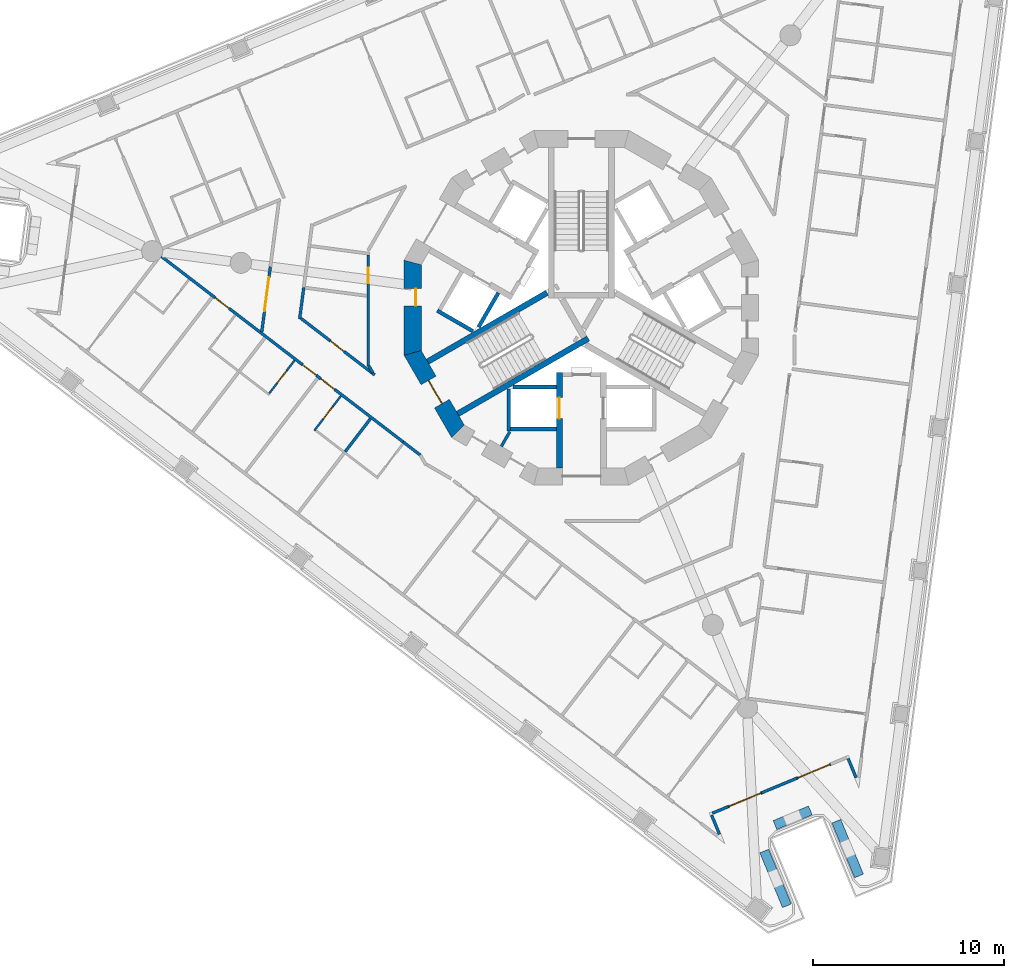
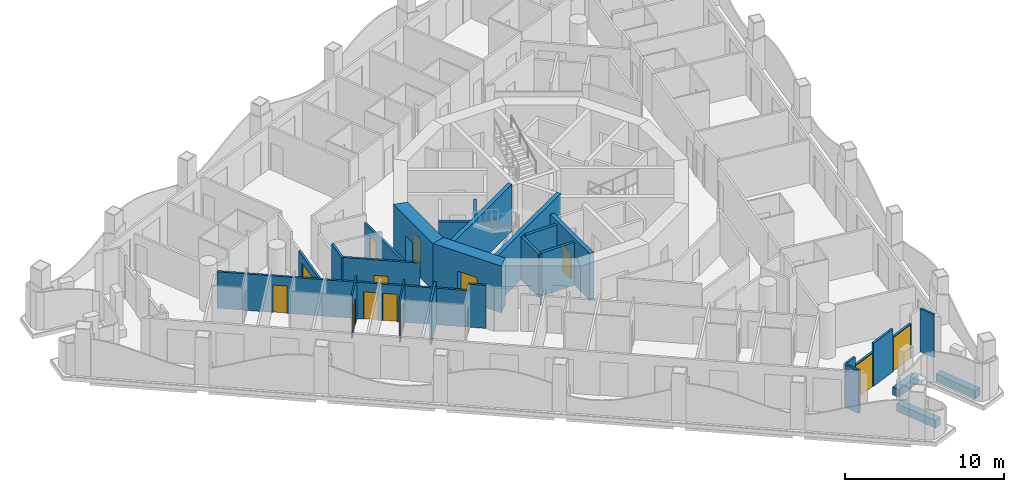
# One storey, part 3 of 17: 30 walls, 13 doors, 13 openings.
"""IFC4 building model written with IfcOpenShell, lengths in metres."""

from ifc_helpers import new_model, si_unit, direction, frame, frame_2d, origin, place, context, subcontext, project, spatial, polyline, rectangle, outline, extrude, material, layer, layer_set, type_object, element, fill, save


model = new_model("IFC4")

# Units and contexts
model_context = context("Model", 3, precision=1e-05, world=origin(), true_north=direction((0.0, 1.0)))
body_context = subcontext(model_context, "Body", "Model", "MODEL_VIEW")
ifc_project = project(units=[si_unit("LENGTHUNIT", "METRE"), si_unit("AREAUNIT", "SQUARE_METRE"), si_unit("VOLUMEUNIT", "CUBIC_METRE"), si_unit("PLANEANGLEUNIT", "RADIAN"), si_unit("MASSUNIT", "GRAM", prefix="KILO")], contexts=[model_context])

# Site, building, storey
site_placement = place(None, origin())
site = spatial("IfcSite", under=ifc_project, at=site_placement, CompositionType="ELEMENT")
building_placement = place(site_placement, origin())
building = spatial("IfcBuilding", under=site, at=building_placement, Name="Trine Commons Tower", CompositionType="ELEMENT")
storey_placement = place(building_placement, frame((0.0, 0.0, 138.60009765625)))
storey = spatial("IfcBuildingStorey", under=building, at=storey_placement, Name="L35", CompositionType="ELEMENT", Elevation=138.60009765625)

# Walls
ifc_material_1 = material(Name="Plasterboard partition on steel studs", Category="steel")
ifc_layer_1 = layer(ifc_material_1, 0.14990234375)
ifc_layer_set_1 = layer_set([ifc_layer_1], Name="Plasterboard partition on steel studs")
wall_type_1 = type_object("IfcWallType", Name="Core room partition 150 mm, EI 60", PredefinedType="PARTITIONING", material=ifc_layer_set_1)
wall_1_placement = place(storey_placement, frame((75.81396484375, 55.2490234375, 0.0), z_axis=(0.0, 0.0, 1.0), x_axis=(0.499890179513, 0.866088799389, 0.0)))
element("IfcWall", 1, at=wall_1_placement, inside=storey, type_object=wall_type_1, Name="Core room partition L35", PredefinedType="PARTITIONING", context=body_context, shape_type="SweptSolid", body=[
    extrude(rectangle(XDim=0.882080078125, YDim=0.14990234375, at=frame_2d((0.44091796875, 0.0))), origin(), (0.0, 0.0, 1.0), 3.2998046875),
])
ifc_material_2 = material(Name="Aluminium-framed insulated wall panel", Category="aluminium")
ifc_layer_2 = layer(ifc_material_2, 0.14990234375)
ifc_layer_set_2 = layer_set([ifc_layer_2], Name="Aluminium-framed insulated wall panel")
wall_type_2 = type_object("IfcWallType", Name="Glazed frame wall 150, EI 60", PredefinedType="SOLIDWALL", material=ifc_layer_set_2)
wall_2_placement = place(storey_placement, frame((94.42041015625, 37.78564453125, 0.0), z_axis=(0.0, 0.0, 1.0), x_axis=(-0.382629665579, 0.923901801611, 0.0)))
element("IfcWall", 2, at=wall_2_placement, inside=storey, type_object=wall_type_2, Name="Glazed frame wall R9", PredefinedType="SOLIDWALL", context=body_context, shape_type="SweptSolid", body=[
    extrude(outline(polyline([(0.1494140625, 0.074951171875), (0.1494140625, -0.074951171875), (1.235107421875, -0.074951171875), (1.235107421875, 0.074951171875), (0.1494140625, 0.074951171875)])), origin(), (0.0, 0.0, 1.0), 3.2998046875),
])

# Wall, opening, door
wall_3_placement = place(storey_placement, frame((93.027587890625, 38.626708984375, 0.0), z_axis=(0.0, 0.0, 1.0), x_axis=(-0.923888414498, -0.382661988648, 0.0)))
wall_3 = element("IfcWall", 3, at=wall_3_placement, inside=storey, type_object=wall_type_2, Name="Glazed frame wall P3.2", PredefinedType="SOLIDWALL", context=body_context, shape_type="SweptSolid", body=[
    extrude(outline(polyline([(0.0, -0.074951171875), (1.89990234375, -0.074951171875), (1.89990234375, 0.074951171875), (0.0, 0.074951171875), (0.0, -0.074951171875)])), origin(), (0.0, 0.0, 1.0), 2.64990234375),
])
opening_1_placement = place(wall_3_placement, frame((0.050048828125, 0.0, 0.0)))
opening_1 = element("IfcOpeningElement", 4, at=opening_1_placement, cuts=wall_3, Name="Opening BD-4P3-01", PredefinedType="OPENING", context=body_context, shape_type="SweptSolid", body=[
    extrude(rectangle(XDim=1.800048828125, YDim=2.60009765625, at=frame_2d((0.89990234375, 1.300048828125))), frame((0.0, 0.0849609375, 0.0), z_axis=(0.0, -1.0, 0.0), x_axis=(1.0, 0.0, 0.0)), (0.0, 0.0, 1.0), 0.169921875),
])
ifc_material_3 = material(Name="Anodised aluminium frame with double glazing", Category="aluminium")
door_type_1 = type_object("IfcDoorType", Name="Sliding loggia door 1800x2600", OperationType="SLIDING_TO_LEFT", PredefinedType="DOOR", material=ifc_material_3)
door_1_placement = place(opening_1_placement, origin())
door_1 = element("IfcDoor", 5, at=door_1_placement, inside=storey, type_object=door_type_1, Name="Loggia door P3 1", OperationType="SLIDING_TO_LEFT", OverallHeight=2.60009765625, OverallWidth=1.800048828125, PredefinedType="DOOR", context=body_context, shape_type="SweptSolid", body=[
    extrude(rectangle(XDim=1.800048828125, YDim=2.60009765625, at=frame_2d((0.89990234375, 1.300048828125))), frame((0.0, 0.02490234375, 0.0), z_axis=(0.0, -1.0, 0.0), x_axis=(1.0, 0.0, 0.0)), (0.0, 0.0, 1.0), 0.050048828125),
])
fill(opening_1, door_1)

# Wall
wall_4_placement = place(storey_placement, frame((91.272216796875, 37.899658203125, 0.0), z_axis=(0.0, 0.0, 1.0), x_axis=(-0.923887406181, -0.382664423091, 0.0)))
element("IfcWall", 6, at=wall_4_placement, inside=storey, type_object=wall_type_2, Name="Glazed frame wall P3.3", PredefinedType="SOLIDWALL", context=body_context, shape_type="SweptSolid", body=[
    extrude(outline(polyline([(0.0, -0.074951171875), (2.0, -0.074951171875), (2.0, 0.074951171875), (0.0, 0.074951171875), (0.0, -0.074951171875)])), origin(), (0.0, 0.0, 1.0), 3.2998046875),
])

# Wall, opening, door
wall_5_placement = place(storey_placement, frame((89.42431640625, 37.13427734375, 0.0), z_axis=(0.0, 0.0, 1.0), x_axis=(-0.923869595408, -0.382707421773, 0.0)))
wall_5 = element("IfcWall", 7, at=wall_5_placement, inside=storey, type_object=wall_type_2, Name="Glazed frame wall P3.4", PredefinedType="SOLIDWALL", context=body_context, shape_type="SweptSolid", body=[
    extrude(outline(polyline([(0.0, -0.074951171875), (1.89990234375, -0.074951171875), (1.89990234375, 0.074951171875), (0.0, 0.074951171875), (0.0, -0.074951171875)])), origin(), (0.0, 0.0, 1.0), 2.64990234375),
])
opening_2_placement = place(wall_5_placement, frame((0.050048828125, 0.0, 0.0)))
opening_2 = element("IfcOpeningElement", 8, at=opening_2_placement, cuts=wall_5, Name="Opening BD-4P3-02", PredefinedType="OPENING", context=body_context, shape_type="SweptSolid", body=[
    extrude(rectangle(XDim=1.800048828125, YDim=2.60009765625, at=frame_2d((0.89990234375, 1.300048828125))), frame((0.0, 0.0849609375, 0.0), z_axis=(0.0, -1.0, 0.0), x_axis=(1.0, 0.0, 0.0)), (0.0, 0.0, 1.0), 0.169921875),
])
door_2_placement = place(opening_2_placement, origin())
door_2 = element("IfcDoor", 9, at=door_2_placement, inside=storey, type_object=door_type_1, Name="Loggia door P3 2", OperationType="SLIDING_TO_LEFT", OverallHeight=2.60009765625, OverallWidth=1.800048828125, PredefinedType="DOOR", context=body_context, shape_type="SweptSolid", body=[
    extrude(rectangle(XDim=1.800048828125, YDim=2.60009765625, at=frame_2d((0.89990234375, 1.300048828125))), frame((0.0, 0.02490234375, 0.0), z_axis=(0.0, -1.0, 0.0), x_axis=(1.0, 0.0, 0.0)), (0.0, 0.0, 1.0), 0.050048828125),
])
fill(opening_2, door_2)

# Walls
wall_6_placement = place(storey_placement, frame((87.669189453125, 36.4072265625, 0.0), z_axis=(0.0, 0.0, 1.0), x_axis=(-0.923862128325, -0.382725447084, 0.0)))
element("IfcWall", 10, at=wall_6_placement, inside=storey, type_object=wall_type_2, Name="Glazed frame wall P3.5", PredefinedType="SOLIDWALL", context=body_context, shape_type="SweptSolid", body=[
    extrude(outline(polyline([(0.889892578125, 0.074951171875), (0.0, 0.074951171875), (0.0, -0.074951171875), (0.889892578125, -0.074951171875), (0.889892578125, 0.074951171875)])), origin(), (0.0, 0.0, 1.0), 3.2998046875),
])
wall_7_placement = place(storey_placement, frame((86.76416015625, 36.0703125, 0.0), z_axis=(0.0, 0.0, 1.0), x_axis=(0.382629665579, -0.923901801611, 0.0)))
element("IfcWall", 11, at=wall_7_placement, inside=storey, type_object=wall_type_2, Name="Glazed frame wall R11", PredefinedType="SOLIDWALL", context=body_context, shape_type="SweptSolid", body=[
    extrude(outline(polyline([(0.110107421875, 0.074951171875), (0.110107421875, -0.074951171875), (1.19580078125, -0.074951171875), (1.19580078125, 0.074951171875), (0.110107421875, 0.074951171875)])), origin(), (0.0, 0.0, 1.0), 3.2998046875),
])
ifc_material_4 = material(Name="Planter trough, precast concrete C40/50", Category="concrete")
ifc_layer_3 = layer(ifc_material_4, 0.5)
ifc_layer_set_3 = layer_set([ifc_layer_3], Name="Planter trough, precast concrete C40/50")
wall_type_3 = type_object("IfcWallType", Name="Planter trough 500x600", PredefinedType="PARAPET", material=ifc_layer_set_3)
wall_8_placement = place(storey_placement, frame((94.515625, 32.78662109375, 0.0), z_axis=(0.0, 0.0, 1.0), x_axis=(-0.382674068277, 0.923883411188, 0.0)))
element("IfcWall", 12, at=wall_8_placement, inside=storey, type_object=wall_type_3, Name="Planter 7", PredefinedType="PARAPET", context=body_context, shape_type="SweptSolid", body=[
    extrude(rectangle(XDim=3.099853515625, YDim=0.5, at=frame_2d((1.5498046875, 0.0))), origin(), (0.0, 0.0, 1.0), 0.599853515625),
])
wall_9_placement = place(storey_placement, frame((91.970703125, 36.21337890625, 0.0), z_axis=(0.0, 0.0, 1.0), x_axis=(-0.923930555985, -0.382560227567, 0.0)))
element("IfcWall", 13, at=wall_9_placement, inside=storey, type_object=wall_type_3, Name="Planter 8", PredefinedType="PARAPET", context=body_context, shape_type="SweptSolid", body=[
    extrude(rectangle(XDim=2.0, YDim=0.5, at=frame_2d((1.0, 0.0))), origin(), (0.0, 0.0, 1.0), 0.599853515625),
])
wall_10_placement = place(storey_placement, frame((89.56005859375, 34.08935546875, 0.0), z_axis=(0.0, 0.0, 1.0), x_axis=(0.382674068277, -0.923883411188, 0.0)))
element("IfcWall", 14, at=wall_10_placement, inside=storey, type_object=wall_type_3, Name="Planter 9", PredefinedType="PARAPET", context=body_context, shape_type="SweptSolid", body=[
    extrude(rectangle(XDim=3.099853515625, YDim=0.5, at=frame_2d((1.5498046875, 0.0))), origin(), (0.0, 0.0, 1.0), 0.599853515625),
])

# Wall, opening, door
ifc_material_5 = material(Name="Concrete C70/85", Category="concrete")
ifc_layer_4 = layer(ifc_material_5, 0.300048828125)
ifc_layer_set_4 = layer_set([ifc_layer_4], Name="Concrete C70/85")
wall_type_4 = type_object("IfcWallType", Name="RC shear wall 300 mm, C70/85", PredefinedType="SHEAR", material=ifc_layer_set_4)
wall_11_placement = place(storey_placement, frame((78.85009765625, 59.10009765625, 0.0), z_axis=(0.0, 0.0, 1.0), x_axis=(0.0, -1.0, 0.0)))
wall_11 = element("IfcWall", 15, at=wall_11_placement, inside=storey, type_object=wall_type_4, Name="Core cross wall SWB-03 L35", PredefinedType="SHEAR", context=body_context, shape_type="SweptSolid", body=[
    extrude(rectangle(XDim=4.97314453125, YDim=0.300048828125, at=frame_2d((2.486572265625, 0.0))), origin(), (0.0, 0.0, 1.0), 3.599853515625),
])
opening_3_placement = place(wall_11_placement, frame((1.300048828125, 0.0, 0.0)))
opening_3 = element("IfcOpeningElement", 16, at=opening_3_placement, cuts=wall_11, Name="Opening LD10", PredefinedType="OPENING", context=body_context, shape_type="SweptSolid", body=[
    extrude(rectangle(XDim=1.10009765625, YDim=2.10009765625, at=frame_2d((0.550048828125, 1.050048828125))), frame((0.0, 0.159912109375, 0.0), z_axis=(0.0, -1.0, 0.0), x_axis=(1.0, 0.0, 0.0)), (0.0, 0.0, 1.0), 0.320068359375),
])
ifc_material_6 = material(Name="Stainless steel sliding door leaves", Category="steel")
door_type_2 = type_object("IfcDoorType", Name="Lift landing door, centre-opening sliding 1100 x 2100, FD90", OperationType="DOUBLE_DOOR_SLIDING", PredefinedType="DOOR", material=ifc_material_6)
door_3_placement = place(opening_3_placement, origin())
door_3 = element("IfcDoor", 17, at=door_3_placement, inside=storey, type_object=door_type_2, Name="Lift landing door FF2 L35", OperationType="DOUBLE_DOOR_SLIDING", OverallHeight=2.10009765625, OverallWidth=1.10009765625, PredefinedType="DOOR", context=body_context, shape_type="SweptSolid", body=[
    extrude(rectangle(XDim=1.10009765625, YDim=2.10009765625, at=frame_2d((0.550048828125, 1.050048828125))), frame((0.0, 0.02490234375, 0.0), z_axis=(0.0, -1.0, 0.0), x_axis=(1.0, 0.0, 0.0)), (0.0, 0.0, 1.0), 0.050048828125),
])
fill(opening_3, door_3)

# Walls
wall_12_placement = place(storey_placement, frame((78.199951171875, 63.280029296875, 0.0), z_axis=(0.0, 0.0, 1.0), x_axis=(-0.866028135082, -0.499995269223, 0.0)))
element("IfcWall", 18, at=wall_12_placement, inside=storey, type_object=wall_type_4, Name="Core cross wall SWB-07 L35", PredefinedType="SHEAR", context=body_context, shape_type="SweptSolid", body=[
    extrude(rectangle(XDim=7.2041015625, YDim=0.300048828125, at=frame_2d((3.60205078125, 0.0))), origin(), (0.0, 0.0, 1.0), 3.599853515625),
])
wall_13_placement = place(storey_placement, frame((80.35400390625, 60.885986328125, 0.0), z_axis=(0.0, 0.0, 1.0), x_axis=(-0.866047706748, -0.499961368145, 0.0)))
element("IfcWall", 19, at=wall_13_placement, inside=storey, type_object=wall_type_4, Name="Core cross wall SWB-14 L35", PredefinedType="SHEAR", context=body_context, shape_type="SweptSolid", body=[
    extrude(rectangle(XDim=7.87255859375, YDim=0.300048828125, at=frame_2d((3.936279296875, 0.0))), origin(), (0.0, 0.0, 1.0), 3.599853515625),
])

# Wall, opening, door
ifc_layer_5 = layer(ifc_material_5, 0.89990234375)
ifc_layer_set_5 = layer_set([ifc_layer_5], Name="Concrete C70/85")
wall_type_5 = type_object("IfcWallType", Name="RC shear wall 900 mm, C70/85", PredefinedType="SHEAR", material=ifc_layer_set_5)
wall_14_placement = place(storey_placement, frame((71.177001953125, 64.984619140625, 0.0), z_axis=(0.0, 0.0, 1.0), x_axis=(0.0, -1.0, 0.0)))
wall_14 = element("IfcWall", 20, at=wall_14_placement, inside=storey, type_object=wall_type_5, Name="Core wall CWD-07 L35", PredefinedType="SHEAR", context=body_context, shape_type="SweptSolid", body=[
    extrude(outline(polyline([(0.0, -0.449951171875), (4.969482421875, -0.449951171875), (4.728271484375, 0.449951171875), (0.2412109375, 0.449951171875), (0.0, -0.449951171875)])), origin(), (0.0, 0.0, 1.0), 3.599853515625),
])
opening_4_placement = place(wall_14_placement, frame((1.49365234375, 0.0, 0.0)))
opening_4 = element("IfcOpeningElement", 21, at=opening_4_placement, cuts=wall_14, Name="Opening K10.15", PredefinedType="OPENING", context=body_context, shape_type="SweptSolid", body=[
    extrude(rectangle(XDim=0.89990234375, YDim=2.10009765625, at=frame_2d((0.449951171875, 1.050048828125))), frame((0.0, 0.4599609375, 0.0), z_axis=(0.0, -1.0, 0.0), x_axis=(1.0, 0.0, 0.0)), (0.0, 0.0, 1.0), 0.919921875),
])
ifc_material_7 = material(Name="Steel door leaf, fire-rated", Category="steel")
door_type_3 = type_object("IfcDoorType", Name="Core room door, single leaf 900 x 2100, FD30S", OperationType="SINGLE_SWING_LEFT", PredefinedType="DOOR", material=ifc_material_7)
door_4_placement = place(opening_4_placement, origin())
door_4 = element("IfcDoor", 22, at=door_4_placement, inside=storey, type_object=door_type_3, Name="Door to Cleaner's store L35", OperationType="SINGLE_SWING_LEFT", OverallHeight=2.10009765625, OverallWidth=0.89990234375, PredefinedType="DOOR", context=body_context, shape_type="SweptSolid", body=[
    extrude(rectangle(XDim=0.89990234375, YDim=2.10009765625, at=frame_2d((0.449951171875, 1.050048828125))), frame((0.0, 0.1748046875, 0.0), z_axis=(0.0, -1.0, 0.0), x_axis=(1.0, 0.0, 0.0)), (0.0, 0.0, 1.0), 0.050048828125),
])
fill(opening_4, door_4)

wall_15_placement = place(storey_placement, frame((71.11669921875, 60.240234375, 0.0), z_axis=(0.0, 0.0, 1.0), x_axis=(0.500038571144, -0.866003133579, 0.0)))
wall_15 = element("IfcWall", 23, at=wall_15_placement, inside=storey, type_object=wall_type_5, Name="Core wall CWD-08 L35", PredefinedType="SHEAR", context=body_context, shape_type="SweptSolid", body=[
    extrude(outline(polyline([(0.0, -0.449951171875), (4.96923828125, -0.449951171875), (4.72802734375, 0.449951171875), (0.2412109375, 0.449951171875), (0.0, -0.449951171875)])), origin(), (0.0, 0.0, 1.0), 3.599853515625),
])
opening_5_placement = place(wall_15_placement, frame((1.78466796875, 0.0, 0.0)))
opening_5 = element("IfcOpeningElement", 24, at=opening_5_placement, cuts=wall_15, Name="Opening K10.02", PredefinedType="OPENING", context=body_context, shape_type="SweptSolid", body=[
    extrude(rectangle(XDim=1.39990234375, YDim=2.10009765625, at=frame_2d((0.699951171875, 1.050048828125))), frame((0.0, 0.4599609375, 0.0), z_axis=(0.0, -1.0, 0.0), x_axis=(1.0, 0.0, 0.0)), (0.0, 0.0, 1.0), 0.919921875),
])
ifc_material_8 = material(Name="Steel door leaves, fire-rated", Category="steel")
door_type_4 = type_object("IfcDoorType", Name="Stair door, double leaf 1400 x 2100, FD90", OperationType="DOUBLE_DOOR_SINGLE_SWING", PredefinedType="DOOR", material=ifc_material_8)
door_5_placement = place(opening_5_placement, origin())
door_5 = element("IfcDoor", 25, at=door_5_placement, inside=storey, type_object=door_type_4, Name="Stair door to Exit stair ST2B L35", OperationType="DOUBLE_DOOR_SINGLE_SWING", OverallHeight=2.10009765625, OverallWidth=1.39990234375, PredefinedType="DOOR", context=body_context, shape_type="SweptSolid", body=[
    extrude(rectangle(XDim=1.39990234375, YDim=2.10009765625, at=frame_2d((0.699951171875, 1.050048828125))), frame((0.0, 0.02490234375, 0.0), z_axis=(0.0, -1.0, 0.0), x_axis=(1.0, 0.0, 0.0)), (0.0, 0.0, 1.0), 0.050048828125),
])
fill(opening_5, door_5)

# Walls
ifc_material_9 = material(Name="Fire-rated gypsum shaft wall system")
ifc_layer_6 = layer(ifc_material_9, 0.199951171875)
ifc_layer_set_6 = layer_set([ifc_layer_6], Name="Fire-rated gypsum shaft wall system")
wall_type_6 = type_object("IfcWallType", Name="Shaft wall 200 mm, EI 120", PredefinedType="PARTITIONING", material=ifc_layer_set_6)
wall_16_placement = place(storey_placement, frame((74.324951171875, 61.27392578125, 0.0), z_axis=(0.0, 0.0, 1.0), x_axis=(-0.866102336459, 0.499866725018, 0.0)))
element("IfcWall", 26, at=wall_16_placement, inside=storey, type_object=wall_type_6, Name="Shaft wall L35", PredefinedType="PARTITIONING", context=body_context, shape_type="SweptSolid", body=[
    extrude(rectangle(XDim=2.1484375, YDim=0.199951171875, at=frame_2d((1.07421875, 0.0))), origin(), (0.0, 0.0, 1.0), 3.2998046875),
])
wall_17_placement = place(storey_placement, frame((75.656005859375, 63.27587890625, 0.0), z_axis=(0.0, 0.0, 1.0), x_axis=(-0.500271688072, -0.86586848777, 0.0)))
element("IfcWall", 27, at=wall_17_placement, inside=storey, type_object=wall_type_6, Name="Shaft wall L35", PredefinedType="PARTITIONING", context=body_context, shape_type="SweptSolid", body=[
    extrude(rectangle(XDim=2.064697265625, YDim=0.199951171875, at=frame_2d((1.0322265625, 0.0))), origin(), (0.0, 0.0, 1.0), 3.2998046875),
])
wall_18_placement = place(storey_placement, frame((76.199951171875, 58.257080078125, 0.0), z_axis=(0.0, 0.0, 1.0), x_axis=(0.0, -1.0, 0.0)))
element("IfcWall", 28, at=wall_18_placement, inside=storey, type_object=wall_type_6, Name="Shaft wall L35", PredefinedType="PARTITIONING", context=body_context, shape_type="SweptSolid", body=[
    extrude(rectangle(XDim=2.20703125, YDim=0.199951171875, at=frame_2d((1.103515625, 0.0))), origin(), (0.0, 0.0, 1.0), 3.2998046875),
])
wall_19_placement = place(storey_placement, frame((78.699951171875, 56.14990234375, 0.0), z_axis=(0.0, 0.0, 1.0), x_axis=(-1.0, 0.0, 0.0)))
element("IfcWall", 29, at=wall_19_placement, inside=storey, type_object=wall_type_6, Name="Shaft wall L35", PredefinedType="PARTITIONING", context=body_context, shape_type="SweptSolid", body=[
    extrude(rectangle(XDim=2.39990234375, YDim=0.199951171875, at=frame_2d((1.199951171875, 0.0))), origin(), (0.0, 0.0, 1.0), 3.2998046875),
])
wall_20_placement = place(storey_placement, frame((78.699951171875, 58.35009765625, 0.0), z_axis=(0.0, 0.0, 1.0), x_axis=(-1.0, 0.0, 0.0)))
element("IfcWall", 30, at=wall_20_placement, inside=storey, type_object=wall_type_6, Name="Shaft wall L35", PredefinedType="PARTITIONING", context=body_context, shape_type="SweptSolid", body=[
    extrude(rectangle(XDim=2.264892578125, YDim=0.199951171875, at=frame_2d((1.13232421875, 0.0))), origin(), (0.0, 0.0, 1.0), 3.2998046875),
])

# Wall, openings, doors
ifc_material_10 = material(Name="Gypsum plasterboard on steel stud", Category="steel")
ifc_layer_7 = layer(ifc_material_10, 0.14990234375)
ifc_layer_set_7 = layer_set([ifc_layer_7], Name="Gypsum plasterboard on steel stud")
wall_type_7 = type_object("IfcWallType", Name="Unit and corridor wall 150 mm, EI 60", PredefinedType="PARTITIONING", material=ifc_layer_set_7)
wall_21_placement = place(storey_placement, frame((58.04150390625, 65.17626953125, 0.0), z_axis=(0.0, 0.0, 1.0), x_axis=(0.793414115855, -0.608682216565, 0.0)))
wall_21 = element("IfcWall", 31, at=wall_21_placement, inside=storey, type_object=wall_type_7, Name="Partition 005", PredefinedType="PARTITIONING", context=body_context, shape_type="SweptSolid", body=[
    extrude(rectangle(XDim=15.9873046875, YDim=0.14990234375, at=frame_2d((7.99365234375, 0.0))), origin(), (0.0, 0.0, 1.0), 2.7998046875),
])
opening_6_placement = place(wall_21_placement, frame((10.50634765625, 0.0, 0.0)))
opening_6 = element("IfcOpeningElement", 32, at=opening_6_placement, cuts=wall_21, Name="Opening D-4B25", PredefinedType="OPENING", context=body_context, shape_type="SweptSolid", body=[
    extrude(rectangle(XDim=0.89990234375, YDim=2.10009765625, at=frame_2d((0.449951171875, 1.050048828125))), frame((0.0, 0.0849609375, 0.0), z_axis=(0.0, -1.0, 0.0), x_axis=(1.0, 0.0, 0.0)), (0.0, 0.0, 1.0), 0.169921875),
])
opening_7_placement = place(wall_21_placement, frame((9.306396484375, 0.0, 0.0)))
opening_7 = element("IfcOpeningElement", 33, at=opening_7_placement, cuts=wall_21, Name="Opening D-4B26", PredefinedType="OPENING", context=body_context, shape_type="SweptSolid", body=[
    extrude(rectangle(XDim=0.89990234375, YDim=2.10009765625, at=frame_2d((0.449951171875, 1.050048828125))), frame((0.0, 0.0849609375, 0.0), z_axis=(0.0, -1.0, 0.0), x_axis=(1.0, 0.0, 0.0)), (0.0, 0.0, 1.0), 0.169921875),
])
opening_8_placement = place(wall_21_placement, frame((3.55126953125, 0.0, 0.0)))
opening_8 = element("IfcOpeningElement", 34, at=opening_8_placement, cuts=wall_21, Name="Opening D-4B27", PredefinedType="OPENING", context=body_context, shape_type="SweptSolid", body=[
    extrude(rectangle(XDim=0.89990234375, YDim=2.10009765625, at=frame_2d((0.449951171875, 1.050048828125))), frame((0.0, 0.0849609375, 0.0), z_axis=(0.0, -1.0, 0.0), x_axis=(1.0, 0.0, 0.0)), (0.0, 0.0, 1.0), 0.169921875),
])
ifc_material_11 = material(Name="Timber fire door set", Category="wood")
door_type_5 = type_object("IfcDoorType", Name="Bedroom door 900 x 2100, FD30S", OperationType="NOTDEFINED", PredefinedType="DOOR", material=ifc_material_11)
door_6_placement = place(opening_6_placement, frame((0.89990234375, 0.0, 0.0), z_axis=(0.0, 0.0, 1.0), x_axis=(-1.0, 0.0, 0.0)))
door_6 = element("IfcDoor", 35, at=door_6_placement, inside=storey, type_object=door_type_5, Name="Door D-4B25", OperationType="SINGLE_SWING_LEFT", OverallHeight=2.10009765625, OverallWidth=0.89990234375, PredefinedType="DOOR", context=body_context, shape_type="SweptSolid", body=[
    extrude(rectangle(XDim=0.89990234375, YDim=2.10009765625, at=frame_2d((0.449951171875, 1.050048828125))), frame((0.0, 0.02490234375, 0.0), z_axis=(0.0, -1.0, 0.0), x_axis=(1.0, 0.0, 0.0)), (0.0, 0.0, 1.0), 0.050048828125),
])
fill(opening_6, door_6)
door_7_placement = place(opening_7_placement, frame((0.89990234375, 0.0, 0.0), z_axis=(0.0, 0.0, 1.0), x_axis=(-1.0, 0.0, 0.0)))
door_7 = element("IfcDoor", 36, at=door_7_placement, inside=storey, type_object=door_type_5, Name="Door D-4B26", OperationType="SINGLE_SWING_LEFT", OverallHeight=2.10009765625, OverallWidth=0.89990234375, PredefinedType="DOOR", context=body_context, shape_type="SweptSolid", body=[
    extrude(rectangle(XDim=0.89990234375, YDim=2.10009765625, at=frame_2d((0.449951171875, 1.050048828125))), frame((0.0, 0.02490234375, 0.0), z_axis=(0.0, -1.0, 0.0), x_axis=(1.0, 0.0, 0.0)), (0.0, 0.0, 1.0), 0.050048828125),
])
fill(opening_7, door_7)
door_8_placement = place(opening_8_placement, frame((0.89990234375, 0.0, 0.0), z_axis=(0.0, 0.0, 1.0), x_axis=(-1.0, 0.0, 0.0)))
door_8 = element("IfcDoor", 37, at=door_8_placement, inside=storey, type_object=door_type_5, Name="Door D-4B27", OperationType="SINGLE_SWING_RIGHT", OverallHeight=2.10009765625, OverallWidth=0.89990234375, PredefinedType="DOOR", context=body_context, shape_type="SweptSolid", body=[
    extrude(rectangle(XDim=0.89990234375, YDim=2.10009765625, at=frame_2d((0.449951171875, 1.050048828125))), frame((0.0, 0.02490234375, 0.0), z_axis=(0.0, -1.0, 0.0), x_axis=(1.0, 0.0, 0.0)), (0.0, 0.0, 1.0), 0.050048828125),
])
fill(opening_8, door_8)

# Wall, opening, door
wall_22_placement = place(storey_placement, frame((63.286865234375, 61.2333984375, 0.0), z_axis=(0.0, 0.0, 1.0), x_axis=(0.130693367383, 0.991422838007, 0.0)))
wall_22 = element("IfcWall", 38, at=wall_22_placement, inside=storey, type_object=wall_type_7, Name="Partition 022", PredefinedType="PARTITIONING", context=body_context, shape_type="SweptSolid", body=[
    extrude(rectangle(XDim=3.437255859375, YDim=0.14990234375, at=frame_2d((1.71875, 0.0))), origin(), (0.0, 0.0, 1.0), 2.699951171875),
])
opening_9_placement = place(wall_22_placement, frame((1.0859375, 0.0, 0.0)))
opening_9 = element("IfcOpeningElement", 39, at=opening_9_placement, cuts=wall_22, Name="Opening D-4B03", PredefinedType="OPENING", context=body_context, shape_type="SweptSolid", body=[
    extrude(rectangle(XDim=1.800048828125, YDim=2.10009765625, at=frame_2d((0.89990234375, 1.050048828125))), frame((0.0, 0.0849609375, 0.0), z_axis=(0.0, -1.0, 0.0), x_axis=(1.0, 0.0, 0.0)), (0.0, 0.0, 1.0), 0.169921875),
])
door_type_6 = type_object("IfcDoorType", Name="Cluster entrance door 1800 x 2100, double leaf, FD30S", OperationType="DOUBLE_DOOR_DOUBLE_SWING", PredefinedType="DOOR", material=ifc_material_11)
door_9_placement = place(opening_9_placement, origin())
door_9 = element("IfcDoor", 40, at=door_9_placement, inside=storey, type_object=door_type_6, Name="Door D-4B03", OperationType="DOUBLE_DOOR_DOUBLE_SWING", OverallHeight=2.10009765625, OverallWidth=1.800048828125, PredefinedType="DOOR", context=body_context, shape_type="SweptSolid", body=[
    extrude(rectangle(XDim=1.800048828125, YDim=2.10009765625, at=frame_2d((0.89990234375, 1.050048828125))), frame((0.0, 0.02490234375, 0.0), z_axis=(0.0, -1.0, 0.0), x_axis=(1.0, 0.0, 0.0)), (0.0, 0.0, 1.0), 0.050048828125),
])
fill(opening_9, door_9)

# Wall
wall_23_placement = place(storey_placement, frame((65.26708984375, 61.91259765625, 0.0), z_axis=(0.0, 0.0, 1.0), x_axis=(0.130621934677, 0.991432251937, 0.0)))
element("IfcWall", 41, at=wall_23_placement, inside=storey, type_object=wall_type_7, Name="Partition 027", PredefinedType="PARTITIONING", context=body_context, shape_type="SweptSolid", body=[
    extrude(rectangle(XDim=1.65966796875, YDim=0.14990234375, at=frame_2d((0.829833984375, 0.0))), origin(), (0.0, 0.0, 1.0), 3.2998046875),
])

# Wall, opening, door
wall_24_placement = place(storey_placement, frame((65.33642578125, 61.94140625, 0.0), z_axis=(0.0, 0.0, 1.0), x_axis=(0.79340079326, -0.608699582105, 0.0)))
wall_24 = element("IfcWall", 42, at=wall_24_placement, inside=storey, type_object=wall_type_7, Name="Partition 028", PredefinedType="PARTITIONING", context=body_context, shape_type="SweptSolid", body=[
    extrude(rectangle(XDim=4.8564453125, YDim=0.14990234375, at=frame_2d((2.42822265625, 0.0))), origin(), (0.0, 0.0, 1.0), 3.2998046875),
])
opening_10_placement = place(wall_24_placement, frame((1.940185546875, 0.0, 0.0)))
opening_10 = element("IfcOpeningElement", 43, at=opening_10_placement, cuts=wall_24, Name="Opening D-4B30", PredefinedType="OPENING", context=body_context, shape_type="SweptSolid", body=[
    extrude(rectangle(XDim=0.89990234375, YDim=2.10009765625, at=frame_2d((0.449951171875, 1.050048828125))), frame((0.0, 0.0849609375, 0.0), z_axis=(0.0, -1.0, 0.0), x_axis=(1.0, 0.0, 0.0)), (0.0, 0.0, 1.0), 0.169921875),
])
door_type_7 = type_object("IfcDoorType", Name="Service door 900 x 2100, FD30S", OperationType="NOTDEFINED", PredefinedType="DOOR", material=ifc_material_11)
door_10_placement = place(opening_10_placement, origin())
door_10 = element("IfcDoor", 44, at=door_10_placement, inside=storey, type_object=door_type_7, Name="Door D-4B30", OperationType="SINGLE_SWING_LEFT", OverallHeight=2.10009765625, OverallWidth=0.89990234375, PredefinedType="DOOR", context=body_context, shape_type="SweptSolid", body=[
    extrude(rectangle(XDim=0.89990234375, YDim=2.10009765625, at=frame_2d((0.449951171875, 1.050048828125))), frame((0.0, 0.02490234375, 0.0), z_axis=(0.0, -1.0, 0.0), x_axis=(1.0, 0.0, 0.0)), (0.0, 0.0, 1.0), 0.050048828125),
])
fill(opening_10, door_10)

# Wall
wall_25_placement = place(storey_placement, frame((67.6474609375, 54.9697265625, 0.0), z_axis=(0.0, 0.0, 1.0), x_axis=(0.608674216197, 0.79342025342, 0.0)))
element("IfcWall", 45, at=wall_25_placement, inside=storey, type_object=wall_type_7, Name="Partition 036", PredefinedType="PARTITIONING", context=body_context, shape_type="SweptSolid", body=[
    extrude(rectangle(XDim=2.17529296875, YDim=0.14990234375, at=frame_2d((1.087646484375, 0.0))), origin(), (0.0, 0.0, 1.0), 3.2998046875),
])

# Wall, opening, door
wall_26_placement = place(storey_placement, frame((68.85205078125, 59.43798828125, 0.0), z_axis=(0.0, 0.0, 1.0), x_axis=(0.0, 1.0, 0.0)))
wall_26 = element("IfcWall", 46, at=wall_26_placement, inside=storey, type_object=wall_type_7, Name="Partition 038", PredefinedType="PARTITIONING", context=body_context, shape_type="SweptSolid", body=[
    extrude(rectangle(XDim=5.820068359375, YDim=0.14990234375, at=frame_2d((2.91015625, 0.0))), origin(), (0.0, 0.0, 1.0), 2.699951171875),
])
opening_11_placement = place(wall_26_placement, frame((4.345947265625, 0.0, 0.0)))
opening_11 = element("IfcOpeningElement", 47, at=opening_11_placement, cuts=wall_26, Name="Opening D-4B34", PredefinedType="OPENING", context=body_context, shape_type="SweptSolid", body=[
    extrude(rectangle(XDim=0.800048828125, YDim=2.10009765625, at=frame_2d((0.39990234375, 1.050048828125))), frame((0.0, 0.0849609375, 0.0), z_axis=(0.0, -1.0, 0.0), x_axis=(1.0, 0.0, 0.0)), (0.0, 0.0, 1.0), 0.169921875),
])
ifc_material_12 = material(Name="Painted timber", Category="wood")
door_type_8 = type_object("IfcDoorType", Name="Toilet door 800 x 2100, NOT RATED", OperationType="NOTDEFINED", PredefinedType="DOOR", material=ifc_material_12)
door_11_placement = place(opening_11_placement, origin())
door_11 = element("IfcDoor", 48, at=door_11_placement, inside=storey, type_object=door_type_8, Name="Door D-4B34", OperationType="SINGLE_SWING_RIGHT", OverallHeight=2.10009765625, OverallWidth=0.800048828125, PredefinedType="DOOR", context=body_context, shape_type="SweptSolid", body=[
    extrude(rectangle(XDim=0.800048828125, YDim=2.10009765625, at=frame_2d((0.39990234375, 1.050048828125))), frame((0.0, 0.02490234375, 0.0), z_axis=(0.0, -1.0, 0.0), x_axis=(1.0, 0.0, 0.0)), (0.0, 0.0, 1.0), 0.050048828125),
])
fill(opening_11, door_11)

# Walls
wall_27_placement = place(storey_placement, frame((68.889404296875, 59.447998046875, 0.0), z_axis=(0.0, 0.0, 1.0), x_axis=(0.499481060725, -0.866324806281, 0.0)))
element("IfcWall", 49, at=wall_27_placement, inside=storey, type_object=wall_type_7, Name="Partition 039", PredefinedType="PARTITIONING", context=body_context, shape_type="SweptSolid", body=[
    extrude(rectangle(XDim=0.40869140625, YDim=0.14990234375, at=frame_2d((0.204345703125, 0.0))), origin(), (0.0, 0.0, 1.0), 3.2998046875),
])
wall_28_placement = place(storey_placement, frame((70.680419921875, 55.4794921875, 0.0), z_axis=(0.0, 0.0, 1.0), x_axis=(0.793727683749, -0.60827326429, 0.0)))
element("IfcWall", 50, at=wall_28_placement, inside=storey, type_object=wall_type_7, Name="Partition 043", PredefinedType="PARTITIONING", context=body_context, shape_type="SweptSolid", body=[
    extrude(rectangle(XDim=1.133544921875, YDim=0.14990234375, at=frame_2d((0.56689453125, 0.0))), origin(), (0.0, 0.0, 1.0), 3.2998046875),
])

# Wall, opening, door
ifc_layer_8 = layer(ifc_material_10, 0.10009765625)
ifc_layer_set_8 = layer_set([ifc_layer_8], Name="Gypsum plasterboard on steel stud")
wall_type_8 = type_object("IfcWallType", Name="Unit partition 100 mm, no rating", PredefinedType="PARTITIONING", material=ifc_layer_set_8)
wall_29_placement = place(storey_placement, frame((63.676513671875, 58.0166015625, 0.0), z_axis=(0.0, 0.0, 1.0), x_axis=(0.608674216197, 0.79342025342, 0.0)))
wall_29 = element("IfcWall", 51, at=wall_29_placement, inside=storey, type_object=wall_type_8, Name="Partition 023", PredefinedType="PARTITIONING", context=body_context, shape_type="SweptSolid", body=[
    extrude(rectangle(XDim=2.17529296875, YDim=0.10009765625, at=frame_2d((1.087646484375, 0.0))), origin(), (0.0, 0.0, 1.0), 3.2998046875),
])
opening_12_placement = place(wall_29_placement, frame((0.6875, 0.0, 0.0)))
opening_12 = element("IfcOpeningElement", 52, at=opening_12_placement, cuts=wall_29, Name="Opening D-4B56", PredefinedType="OPENING", context=body_context, shape_type="SweptSolid", body=[
    extrude(rectangle(XDim=0.800048828125, YDim=2.10009765625, at=frame_2d((0.39990234375, 1.050048828125))), frame((0.0, 0.06005859375, 0.0), z_axis=(0.0, -1.0, 0.0), x_axis=(1.0, 0.0, 0.0)), (0.0, 0.0, 1.0), 0.1201171875),
])
door_type_9 = type_object("IfcDoorType", Name="Internal door 800 x 2100, NOT RATED", OperationType="NOTDEFINED", PredefinedType="DOOR", material=ifc_material_12)
door_12_placement = place(opening_12_placement, frame((0.800048828125, 0.0, 0.0), z_axis=(0.0, 0.0, 1.0), x_axis=(-1.0, 0.0, 0.0)))
door_12 = element("IfcDoor", 53, at=door_12_placement, inside=storey, type_object=door_type_9, Name="Door D-4B56", OperationType="SINGLE_SWING_LEFT", OverallHeight=2.10009765625, OverallWidth=0.800048828125, PredefinedType="DOOR", context=body_context, shape_type="SweptSolid", body=[
    extrude(rectangle(XDim=0.800048828125, YDim=2.10009765625, at=frame_2d((0.39990234375, 1.050048828125))), frame((0.0, 0.02490234375, 0.0), z_axis=(0.0, -1.0, 0.0), x_axis=(1.0, 0.0, 0.0)), (0.0, 0.0, 1.0), 0.050048828125),
])
fill(opening_12, door_12)

wall_30_placement = place(storey_placement, frame((66.03955078125, 56.077392578125, 0.0), z_axis=(0.0, 0.0, 1.0), x_axis=(0.608652294224, 0.793437070432, 0.0)))
wall_30 = element("IfcWall", 54, at=wall_30_placement, inside=storey, type_object=wall_type_8, Name="Partition 034", PredefinedType="PARTITIONING", context=body_context, shape_type="SweptSolid", body=[
    extrude(rectangle(XDim=2.275146484375, YDim=0.10009765625, at=frame_2d((1.1376953125, 0.0))), origin(), (0.0, 0.0, 1.0), 3.2998046875),
])
opening_13_placement = place(wall_30_placement, frame((0.762451171875, 0.0, 0.0)))
opening_13 = element("IfcOpeningElement", 55, at=opening_13_placement, cuts=wall_30, Name="Opening D-4B55", PredefinedType="OPENING", context=body_context, shape_type="SweptSolid", body=[
    extrude(rectangle(XDim=0.800048828125, YDim=2.10009765625, at=frame_2d((0.39990234375, 1.050048828125))), frame((0.0, 0.06005859375, 0.0), z_axis=(0.0, -1.0, 0.0), x_axis=(1.0, 0.0, 0.0)), (0.0, 0.0, 1.0), 0.1201171875),
])
door_13_placement = place(opening_13_placement, origin())
door_13 = element("IfcDoor", 56, at=door_13_placement, inside=storey, type_object=door_type_9, Name="Door D-4B55", OperationType="SINGLE_SWING_RIGHT", OverallHeight=2.10009765625, OverallWidth=0.800048828125, PredefinedType="DOOR", context=body_context, shape_type="SweptSolid", body=[
    extrude(rectangle(XDim=0.800048828125, YDim=2.10009765625, at=frame_2d((0.39990234375, 1.050048828125))), frame((0.0, 0.02490234375, 0.0), z_axis=(0.0, -1.0, 0.0), x_axis=(1.0, 0.0, 0.0)), (0.0, 0.0, 1.0), 0.050048828125),
])
fill(opening_13, door_13)

save(model, "model.ifc")
